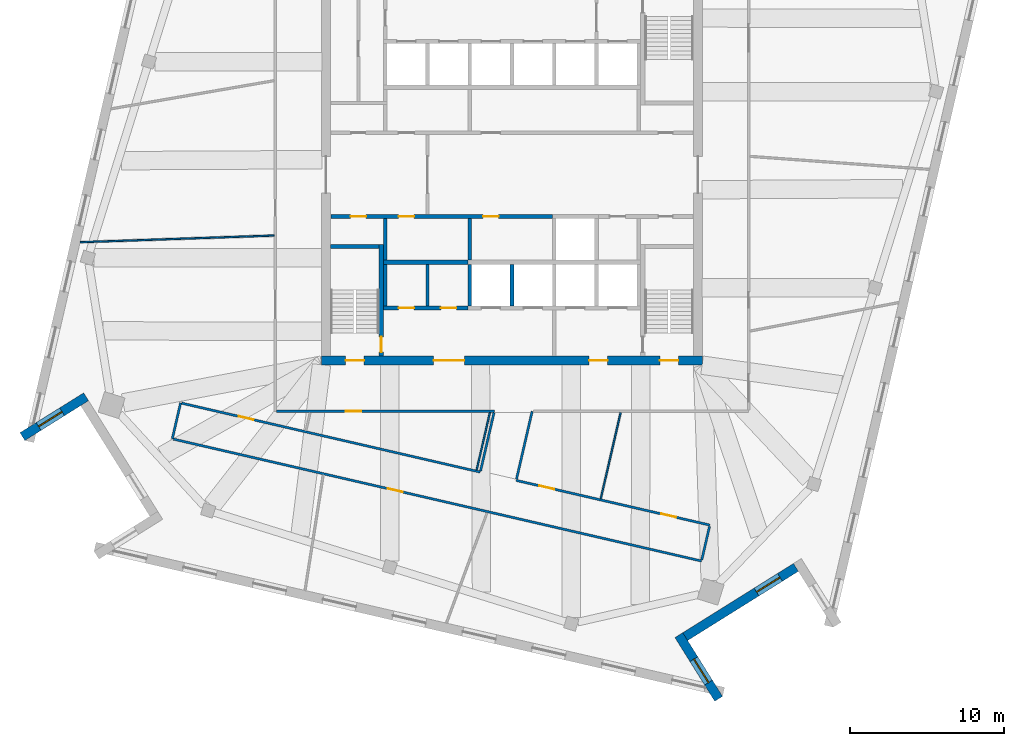
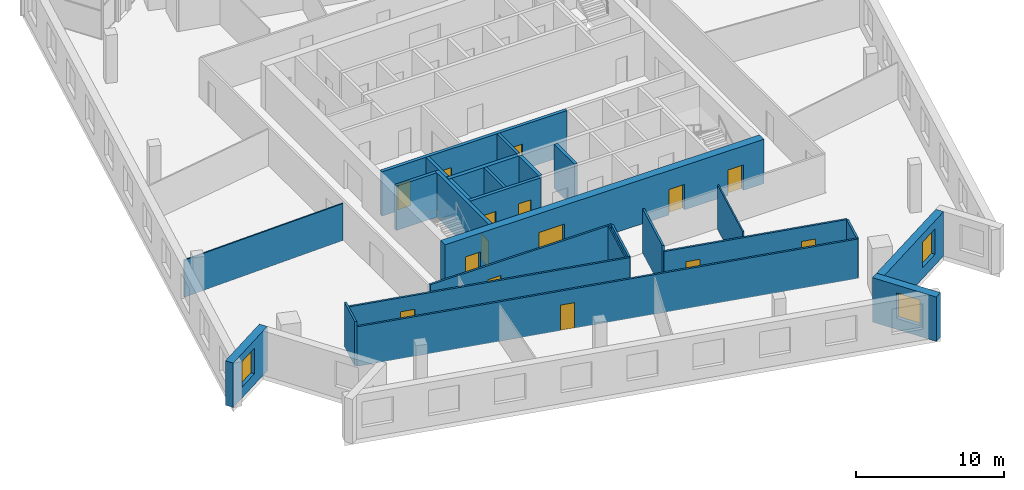
# One storey, part 6 of 14: 26 walls, 15 doors, 3 windows, 18 openings.
"""IFC4 building model written with IfcOpenShell, lengths in metres."""

from ifc_helpers import new_model, si_unit, direction, frame, frame_2d, origin, place, context, subcontext, project, spatial, rectangle, extrude, material, layer, layer_set, type_object, element, fill, save


model = new_model("IFC4")

# Units and contexts
model_context = context("Model", 3, precision=1e-05, world=origin(), true_north=direction((0.0, 1.0)))
body_context = subcontext(model_context, "Body", "Model", "MODEL_VIEW")
ifc_project = project(units=[si_unit("LENGTHUNIT", "METRE"), si_unit("AREAUNIT", "SQUARE_METRE"), si_unit("VOLUMEUNIT", "CUBIC_METRE"), si_unit("PLANEANGLEUNIT", "RADIAN"), si_unit("MASSUNIT", "GRAM", prefix="KILO")], contexts=[model_context])

# Site, building, storey
site_placement = place(None, origin())
site = spatial("IfcSite", under=ifc_project, at=site_placement, CompositionType="ELEMENT")
building_placement = place(site_placement, origin())
building = spatial("IfcBuilding", under=site, at=building_placement, Name="Dilmun Exchange Tower", CompositionType="ELEMENT")
storey_placement = place(building_placement, frame((0.0, 0.0, 340.5)))
storey = spatial("IfcBuildingStorey", under=building, at=storey_placement, Name="L81", CompositionType="ELEMENT", Elevation=340.5)

# Walls
ifc_material_1 = material(Name="Concrete C40/50", Category="concrete")
ifc_layer_1 = layer(ifc_material_1, 0.199951171875)
ifc_layer_set_1 = layer_set([ifc_layer_1], Name="Concrete C40/50")
wall_type_1 = type_object("IfcWallType", Name="Core partition wall 200", PredefinedType="PARTITIONING", material=ifc_layer_set_1)
for number, where, z_axis, x_axis, name in (
    (1, (-5.5, -8.544921875, 0.0), (0.0, 0.0, 1.0), (0.0, 1.0, 0.0), "L81 core partition wall 04"),
    (2, (-2.75, -5.544921875, 0.0), (0.0, 0.0, 1.0), (0.0, 1.0, 0.0), "L81 core partition wall 07"),
):
    element("IfcWall", number, at=place(storey_placement, frame(where, z_axis=z_axis, x_axis=x_axis)), inside=storey, type_object=wall_type_1, Name=name, PredefinedType="PARTITIONING", context=body_context, shape_type="SweptSolid", body=[
        extrude(rectangle(XDim=2.68994140625, YDim=0.199951171875, at=frame_2d((1.344970703125, 0.0))), origin(), (0.0, 0.0, 1.0), 3.64990234375),
    ])

# Wall, openings, doors
ifc_layer_2 = layer(ifc_material_1, 0.25)
ifc_layer_set_2 = layer_set([ifc_layer_2], Name="Concrete C40/50")
wall_type_2 = type_object("IfcWallType", Name="Core partition wall 250", PredefinedType="PARTITIONING", material=ifc_layer_set_2)
wall_1_placement = place(storey_placement, frame((-8.3701171875, -8.675048828125, 0.0), z_axis=(0.0, 0.0, 1.0), x_axis=(1.0, 0.0, 0.0)))
wall_1 = element("IfcWall", 3, at=wall_1_placement, inside=storey, type_object=wall_type_2, Name="L81 core partition wall 02", PredefinedType="PARTITIONING", context=body_context, shape_type="SweptSolid", body=[
    extrude(rectangle(XDim=5.490234375, YDim=0.25, at=frame_2d((2.7451171875, 0.0))), origin(), (0.0, 0.0, 1.0), 3.64990234375),
])
opening_1_placement = place(wall_1_placement, frame((0.9951171875, 0.0, 0.0)))
opening_1 = element("IfcOpeningElement", 4, at=opening_1_placement, cuts=wall_1, Name="Opening CD4", PredefinedType="OPENING", context=body_context, shape_type="SweptSolid", body=[
    extrude(rectangle(XDim=1.0, YDim=2.10009765625, at=frame_2d((0.5, 1.050048828125))), frame((0.0, 0.135009765625, 0.0), z_axis=(0.0, -1.0, 0.0), x_axis=(1.0, 0.0, 0.0)), (0.0, 0.0, 1.0), 0.27001953125),
])
opening_2_placement = place(wall_1_placement, frame((3.7451171875, 0.0, 0.0)))
opening_2 = element("IfcOpeningElement", 5, at=opening_2_placement, cuts=wall_1, Name="Opening CD4", PredefinedType="OPENING", context=body_context, shape_type="SweptSolid", body=[
    extrude(rectangle(XDim=1.0, YDim=2.10009765625, at=frame_2d((0.5, 1.050048828125))), frame((0.0, 0.135009765625, 0.0), z_axis=(0.0, -1.0, 0.0), x_axis=(1.0, 0.0, 0.0)), (0.0, 0.0, 1.0), 0.27001953125),
])
ifc_material_2 = material(Name="Fire-rated steel door set", Category="steel")
door_type_1 = type_object("IfcDoorType", Name="Core room door 1000x2100", OperationType="SINGLE_SWING_LEFT", PredefinedType="DOOR", material=ifc_material_2)
door_1_placement = place(opening_1_placement, origin())
door_1 = element("IfcDoor", 6, at=door_1_placement, inside=storey, type_object=door_type_1, Name="L81 door Male WC", OperationType="SINGLE_SWING_RIGHT", OverallHeight=2.10009765625, OverallWidth=1.0, PredefinedType="DOOR", context=body_context, shape_type="SweptSolid", body=[
    extrude(rectangle(XDim=1.0, YDim=2.10009765625, at=frame_2d((0.5, 1.050048828125))), frame((0.0, 0.02490234375, 0.0), z_axis=(0.0, -1.0, 0.0), x_axis=(1.0, 0.0, 0.0)), (0.0, 0.0, 1.0), 0.050048828125),
])
fill(opening_1, door_1)
door_2_placement = place(opening_2_placement, origin())
door_2 = element("IfcDoor", 7, at=door_2_placement, inside=storey, type_object=door_type_1, Name="L81 door Female WC", OperationType="SINGLE_SWING_RIGHT", OverallHeight=2.10009765625, OverallWidth=1.0, PredefinedType="DOOR", context=body_context, shape_type="SweptSolid", body=[
    extrude(rectangle(XDim=1.0, YDim=2.10009765625, at=frame_2d((0.5, 1.050048828125))), frame((0.0, 0.02490234375, 0.0), z_axis=(0.0, -1.0, 0.0), x_axis=(1.0, 0.0, 0.0)), (0.0, 0.0, 1.0), 0.050048828125),
])
fill(opening_2, door_2)

# Walls
for number, where, z_axis, x_axis, name in (
    (8, (-8.25, -8.544921875, 0.0), (0.0, 0.0, 1.0), (0.0, 1.0, 0.0), "L81 core partition wall 03"),
    (9, (-8.25, -5.544921875, 0.0), (0.0, 0.0, 1.0), (0.0, 1.0, 0.0), "L81 core partition wall 06"),
):
    element("IfcWall", number, at=place(storey_placement, frame(where, z_axis=z_axis, x_axis=x_axis)), inside=storey, type_object=wall_type_2, Name=name, PredefinedType="PARTITIONING", context=body_context, shape_type="SweptSolid", body=[
        extrude(rectangle(XDim=2.68994140625, YDim=0.25, at=frame_2d((1.344970703125, 0.0))), origin(), (0.0, 0.0, 1.0), 3.64990234375),
    ])

# Wall, openings, doors
wall_2_placement = place(storey_placement, frame((-11.794921875, -2.72509765625, 0.0), z_axis=(0.0, 0.0, 1.0), x_axis=(1.0, 0.0, 0.0)))
wall_2 = element("IfcWall", 10, at=wall_2_placement, inside=storey, type_object=wall_type_2, Name="L81 core partition wall 09", PredefinedType="PARTITIONING", context=body_context, shape_type="SweptSolid", body=[
    extrude(rectangle(XDim=14.4150390625, YDim=0.25, at=frame_2d((7.20751953125, 0.0))), origin(), (0.0, 0.0, 1.0), 3.64990234375),
])
opening_3_placement = place(wall_2_placement, frame((1.294921875, 0.0, 0.0)))
opening_3 = element("IfcOpeningElement", 11, at=opening_3_placement, cuts=wall_2, Name="Opening CD4", PredefinedType="OPENING", context=body_context, shape_type="SweptSolid", body=[
    extrude(rectangle(XDim=1.0, YDim=2.10009765625, at=frame_2d((0.5, 1.050048828125))), frame((0.0, 0.135009765625, 0.0), z_axis=(0.0, -1.0, 0.0), x_axis=(1.0, 0.0, 0.0)), (0.0, 0.0, 1.0), 0.27001953125),
])
opening_4_placement = place(wall_2_placement, frame((4.419921875, 0.0, 0.0)))
opening_4 = element("IfcOpeningElement", 12, at=opening_4_placement, cuts=wall_2, Name="Opening CD4", PredefinedType="OPENING", context=body_context, shape_type="SweptSolid", body=[
    extrude(rectangle(XDim=1.0, YDim=2.10009765625, at=frame_2d((0.5, 1.050048828125))), frame((0.0, 0.135009765625, 0.0), z_axis=(0.0, -1.0, 0.0), x_axis=(1.0, 0.0, 0.0)), (0.0, 0.0, 1.0), 0.27001953125),
])
opening_5_placement = place(wall_2_placement, frame((9.919921875, 0.0, 0.0)))
opening_5 = element("IfcOpeningElement", 13, at=opening_5_placement, cuts=wall_2, Name="Opening CD4", PredefinedType="OPENING", context=body_context, shape_type="SweptSolid", body=[
    extrude(rectangle(XDim=1.0, YDim=2.10009765625, at=frame_2d((0.5, 1.050048828125))), frame((0.0, 0.135009765625, 0.0), z_axis=(0.0, -1.0, 0.0), x_axis=(1.0, 0.0, 0.0)), (0.0, 0.0, 1.0), 0.27001953125),
])
door_3_placement = place(opening_3_placement, origin())
door_3 = element("IfcDoor", 14, at=door_3_placement, inside=storey, type_object=door_type_1, Name="L81 door Accessible WC", OperationType="SINGLE_SWING_RIGHT", OverallHeight=2.10009765625, OverallWidth=1.0, PredefinedType="DOOR", context=body_context, shape_type="SweptSolid", body=[
    extrude(rectangle(XDim=1.0, YDim=2.10009765625, at=frame_2d((0.5, 1.050048828125))), frame((0.0, 0.02490234375, 0.0), z_axis=(0.0, -1.0, 0.0), x_axis=(1.0, 0.0, 0.0)), (0.0, 0.0, 1.0), 0.050048828125),
])
fill(opening_3, door_3)
door_4_placement = place(opening_4_placement, origin())
door_4 = element("IfcDoor", 15, at=door_4_placement, inside=storey, type_object=door_type_1, Name="L81 door Print and mail room", OperationType="SINGLE_SWING_RIGHT", OverallHeight=2.10009765625, OverallWidth=1.0, PredefinedType="DOOR", context=body_context, shape_type="SweptSolid", body=[
    extrude(rectangle(XDim=1.0, YDim=2.10009765625, at=frame_2d((0.5, 1.050048828125))), frame((0.0, 0.02490234375, 0.0), z_axis=(0.0, -1.0, 0.0), x_axis=(1.0, 0.0, 0.0)), (0.0, 0.0, 1.0), 0.050048828125),
])
fill(opening_4, door_4)
door_5_placement = place(opening_5_placement, origin())
door_5 = element("IfcDoor", 16, at=door_5_placement, inside=storey, type_object=door_type_1, Name="L81 door Mechanical room", OperationType="SINGLE_SWING_RIGHT", OverallHeight=2.10009765625, OverallWidth=1.0, PredefinedType="DOOR", context=body_context, shape_type="SweptSolid", body=[
    extrude(rectangle(XDim=1.0, YDim=2.10009765625, at=frame_2d((0.5, 1.050048828125))), frame((0.0, 0.02490234375, 0.0), z_axis=(0.0, -1.0, 0.0), x_axis=(1.0, 0.0, 0.0)), (0.0, 0.0, 1.0), 0.050048828125),
])
fill(opening_5, door_5)

# Wall
ifc_layer_3 = layer(ifc_material_1, 0.300048828125)
ifc_layer_set_3 = layer_set([ifc_layer_3], Name="Concrete C40/50")
wall_type_3 = type_object("IfcWallType", Name="Core partition wall 300", PredefinedType="PARTITIONING", material=ifc_layer_set_3)
wall_3_placement = place(storey_placement, frame((-8.35009765625, -5.699951171875, 0.0), z_axis=(0.0, 0.0, 1.0), x_axis=(1.0, 0.0, 0.0)))
element("IfcWall", 17, at=wall_3_placement, inside=storey, type_object=wall_type_3, Name="L81 core partition wall 05", PredefinedType="PARTITIONING", context=body_context, shape_type="SweptSolid", body=[
    extrude(rectangle(XDim=5.47021484375, YDim=0.300048828125, at=frame_2d((2.735107421875, 0.0))), origin(), (0.0, 0.0, 1.0), 3.64990234375),
])

# Wall, openings, doors
ifc_material_3 = material(Name="Concrete C50/60", Category="concrete")
ifc_layer_4 = layer(ifc_material_3, 0.60009765625)
ifc_layer_set_4 = layer_set([ifc_layer_4], Name="Concrete C50/60")
wall_type_4 = type_object("IfcWallType", Name="Core shear wall 600 Concrete C50/60", PredefinedType="SHEAR", material=ifc_layer_set_4)
wall_4_placement = place(storey_placement, frame((-12.39990234375, -12.10009765625, 0.0), z_axis=(0.0, 0.0, 1.0), x_axis=(1.0, 0.0, 0.0)))
wall_4 = element("IfcWall", 18, at=wall_4_placement, inside=storey, type_object=wall_type_4, Name="L81 core shear wall S", PredefinedType="SHEAR", context=body_context, shape_type="SweptSolid", body=[
    extrude(rectangle(XDim=24.7998046875, YDim=0.60009765625, at=frame_2d((12.39990234375, 0.0))), origin(), (0.0, 0.0, 1.0), 3.64990234375),
])
opening_6_placement = place(wall_4_placement, frame((7.300048828125, 0.0, 0.0)))
opening_6 = element("IfcOpeningElement", 19, at=opening_6_placement, cuts=wall_4, Name="Opening CD2", PredefinedType="OPENING", context=body_context, shape_type="SweptSolid", body=[
    extrude(rectangle(XDim=2.0, YDim=2.10009765625, at=frame_2d((1.0, 1.050048828125))), frame((0.0, 0.31005859375, 0.0), z_axis=(0.0, -1.0, 0.0), x_axis=(1.0, 0.0, 0.0)), (0.0, 0.0, 1.0), 0.6201171875),
])
opening_7_placement = place(wall_4_placement, frame((17.425048828125, 0.0, 0.0)))
opening_7 = element("IfcOpeningElement", 20, at=opening_7_placement, cuts=wall_4, Name="Opening CD3", PredefinedType="OPENING", context=body_context, shape_type="SweptSolid", body=[
    extrude(rectangle(XDim=1.199951171875, YDim=2.10009765625, at=frame_2d((0.60009765625, 1.050048828125))), frame((0.0, 0.31005859375, 0.0), z_axis=(0.0, -1.0, 0.0), x_axis=(1.0, 0.0, 0.0)), (0.0, 0.0, 1.0), 0.6201171875),
])
opening_8_placement = place(wall_4_placement, frame((1.574951171875, 0.0, 0.0)))
opening_8 = element("IfcOpeningElement", 21, at=opening_8_placement, cuts=wall_4, Name="Opening CD3", PredefinedType="OPENING", context=body_context, shape_type="SweptSolid", body=[
    extrude(rectangle(XDim=1.199951171875, YDim=2.10009765625, at=frame_2d((0.60009765625, 1.050048828125))), frame((0.0, 0.31005859375, 0.0), z_axis=(0.0, -1.0, 0.0), x_axis=(1.0, 0.0, 0.0)), (0.0, 0.0, 1.0), 0.6201171875),
])
opening_9_placement = place(wall_4_placement, frame((22.02490234375, 0.0, 0.0)))
opening_9 = element("IfcOpeningElement", 22, at=opening_9_placement, cuts=wall_4, Name="Opening CD3", PredefinedType="OPENING", context=body_context, shape_type="SweptSolid", body=[
    extrude(rectangle(XDim=1.199951171875, YDim=2.10009765625, at=frame_2d((0.60009765625, 1.050048828125))), frame((0.0, 0.31005859375, 0.0), z_axis=(0.0, -1.0, 0.0), x_axis=(1.0, 0.0, 0.0)), (0.0, 0.0, 1.0), 0.6201171875),
])
door_type_2 = type_object("IfcDoorType", Name="Core service door 2000x2100", OperationType="DOUBLE_DOOR_DOUBLE_SWING", PredefinedType="DOOR", material=ifc_material_2)
door_6_placement = place(opening_6_placement, origin())
door_6 = element("IfcDoor", 23, at=door_6_placement, inside=storey, type_object=door_type_2, Name="L81 door South service lobby", OperationType="SINGLE_SWING_LEFT", OverallHeight=2.10009765625, OverallWidth=2.0, PredefinedType="DOOR", context=body_context, shape_type="SweptSolid", body=[
    extrude(rectangle(XDim=2.0, YDim=2.10009765625, at=frame_2d((1.0, 1.050048828125))), frame((0.0, 0.02490234375, 0.0), z_axis=(0.0, -1.0, 0.0), x_axis=(1.0, 0.0, 0.0)), (0.0, 0.0, 1.0), 0.050048828125),
])
fill(opening_6, door_6)
door_type_3 = type_object("IfcDoorType", Name="Stair exit door 1200x2100", OperationType="SINGLE_SWING_LEFT", PredefinedType="DOOR", material=ifc_material_2)
door_7_placement = place(opening_7_placement, origin())
door_7 = element("IfcDoor", 24, at=door_7_placement, inside=storey, type_object=door_type_3, Name="L81 door Fire-fighting lobby", OperationType="SINGLE_SWING_LEFT", OverallHeight=2.10009765625, OverallWidth=1.199951171875, PredefinedType="DOOR", context=body_context, shape_type="SweptSolid", body=[
    extrude(rectangle(XDim=1.199951171875, YDim=2.10009765625, at=frame_2d((0.60009765625, 1.050048828125))), frame((0.0, 0.02490234375, 0.0), z_axis=(0.0, -1.0, 0.0), x_axis=(1.0, 0.0, 0.0)), (0.0, 0.0, 1.0), 0.050048828125),
])
fill(opening_7, door_7)
door_8_placement = place(opening_8_placement, origin())
door_8 = element("IfcDoor", 25, at=door_8_placement, inside=storey, type_object=door_type_3, Name="L81 door Stair ST2", OperationType="SINGLE_SWING_LEFT", OverallHeight=2.10009765625, OverallWidth=1.199951171875, PredefinedType="DOOR", context=body_context, shape_type="SweptSolid", body=[
    extrude(rectangle(XDim=1.199951171875, YDim=2.10009765625, at=frame_2d((0.60009765625, 1.050048828125))), frame((0.0, 0.02490234375, 0.0), z_axis=(0.0, -1.0, 0.0), x_axis=(1.0, 0.0, 0.0)), (0.0, 0.0, 1.0), 0.050048828125),
])
fill(opening_8, door_8)
door_9_placement = place(opening_9_placement, origin())
door_9 = element("IfcDoor", 26, at=door_9_placement, inside=storey, type_object=door_type_3, Name="L81 door Stair ST3", OperationType="SINGLE_SWING_LEFT", OverallHeight=2.10009765625, OverallWidth=1.199951171875, PredefinedType="DOOR", context=body_context, shape_type="SweptSolid", body=[
    extrude(rectangle(XDim=1.199951171875, YDim=2.10009765625, at=frame_2d((0.60009765625, 1.050048828125))), frame((0.0, 0.02490234375, 0.0), z_axis=(0.0, -1.0, 0.0), x_axis=(1.0, 0.0, 0.0)), (0.0, 0.0, 1.0), 0.050048828125),
])
fill(opening_9, door_9)

# Wall
ifc_material_4 = material(Name="Corridor wall 150")
ifc_layer_5 = layer(ifc_material_4, 0.14990234375)
ifc_layer_set_5 = layer_set([ifc_layer_5], Name="Corridor wall 150")
wall_type_5 = type_object("IfcWallType", Name="Corridor wall 150", PredefinedType="PARTITIONING", material=ifc_layer_set_5)
wall_5_placement = place(storey_placement, frame((-22.110107421875, -17.193115234375, 0.0), z_axis=(0.0, 0.0, 1.0), x_axis=(0.225045260861, 0.9743483107, 0.0)))
element("IfcWall", 27, at=wall_5_placement, inside=storey, type_object=wall_type_5, Name="Corridor wall", PredefinedType="PARTITIONING", context=body_context, shape_type="SweptSolid", body=[
    extrude(rectangle(XDim=2.399658203125, YDim=0.14990234375, at=frame_2d((1.19970703125, 0.0))), origin(), (0.0, 0.0, 1.0), 3.64990234375),
])

# Wall, opening, door
wall_6_placement = place(storey_placement, frame((-22.036865234375, -17.2099609375, 0.0), z_axis=(0.0, 0.0, 1.0), x_axis=(0.974365877869, -0.224969189101, 0.0)))
wall_6 = element("IfcWall", 28, at=wall_6_placement, inside=storey, type_object=wall_type_5, Name="Corridor wall", PredefinedType="PARTITIONING", context=body_context, shape_type="SweptSolid", body=[
    extrude(rectangle(XDim=35.276123046875, YDim=0.14990234375, at=frame_2d((17.63818359375, 0.0))), origin(), (0.0, 0.0, 1.0), 3.25),
])
opening_10_placement = place(wall_6_placement, frame((14.316650390625, 0.0, 0.0)))
opening_10 = element("IfcOpeningElement", 29, at=opening_10_placement, cuts=wall_6, Name="Opening TF79-D06", PredefinedType="OPENING", context=body_context, shape_type="SweptSolid", body=[
    extrude(rectangle(XDim=1.0, YDim=2.10009765625, at=frame_2d((0.5, 1.050048828125))), frame((0.0, 0.0849609375, 0.0), z_axis=(0.0, -1.0, 0.0), x_axis=(1.0, 0.0, 0.0)), (0.0, 0.0, 1.0), 0.169921875),
])
ifc_material_5 = material(Name="Fire door 1000 x 2100")
door_type_4 = type_object("IfcDoorType", Name="Fire door 1000 x 2100", OperationType="NOTDEFINED", PredefinedType="DOOR", material=ifc_material_5)
door_10_placement = place(opening_10_placement, frame((1.0, 0.0, 0.0), z_axis=(0.0, 0.0, 1.0), x_axis=(-1.0, 0.0, 0.0)))
door_10 = element("IfcDoor", 30, at=door_10_placement, inside=storey, type_object=door_type_4, Name="Door TF79-D06", OperationType="SINGLE_SWING_LEFT", OverallHeight=2.10009765625, OverallWidth=1.0, PredefinedType="DOOR", context=body_context, shape_type="SweptSolid", body=[
    extrude(rectangle(XDim=1.0, YDim=2.10009765625, at=frame_2d((0.5, 1.050048828125))), frame((0.0, 0.02490234375, 0.0), z_axis=(0.0, -1.0, 0.0), x_axis=(1.0, 0.0, 0.0)), (0.0, 0.0, 1.0), 0.050048828125),
])
fill(opening_10, door_10)

wall_7_placement = place(storey_placement, frame((-21.496826171875, -14.871826171875, 0.0), z_axis=(0.0, 0.0, 1.0), x_axis=(0.974371384758, -0.224945336838, 0.0)))
wall_7 = element("IfcWall", 31, at=wall_7_placement, inside=storey, type_object=wall_type_5, Name="Corridor wall", PredefinedType="PARTITIONING", context=body_context, shape_type="SweptSolid", body=[
    extrude(rectangle(XDim=19.943115234375, YDim=0.14990234375, at=frame_2d((9.9716796875, 0.0))), origin(), (0.0, 0.0, 1.0), 3.25),
])
opening_11_placement = place(wall_7_placement, frame((3.800048828125, 0.0, 0.0)))
opening_11 = element("IfcOpeningElement", 32, at=opening_11_placement, cuts=wall_7, Name="Opening TF79-D03", PredefinedType="OPENING", context=body_context, shape_type="SweptSolid", body=[
    extrude(rectangle(XDim=1.0, YDim=2.10009765625, at=frame_2d((0.5, 1.050048828125))), frame((0.0, 0.0849609375, 0.0), z_axis=(0.0, -1.0, 0.0), x_axis=(1.0, 0.0, 0.0)), (0.0, 0.0, 1.0), 0.169921875),
])
door_11_placement = place(opening_11_placement, origin())
door_11 = element("IfcDoor", 33, at=door_11_placement, inside=storey, type_object=door_type_4, Name="Door TF79-D03", OperationType="SINGLE_SWING_LEFT", OverallHeight=2.10009765625, OverallWidth=1.0, PredefinedType="DOOR", context=body_context, shape_type="SweptSolid", body=[
    extrude(rectangle(XDim=1.0, YDim=2.10009765625, at=frame_2d((0.5, 1.050048828125))), frame((0.0, 0.02490234375, 0.0), z_axis=(0.0, -1.0, 0.0), x_axis=(1.0, 0.0, 0.0)), (0.0, 0.0, 1.0), 0.050048828125),
])
fill(opening_11, door_11)

wall_8_placement = place(storey_placement, frame((-15.324951171875, -15.39990234375, 0.0), z_axis=(0.0, 0.0, 1.0), x_axis=(1.0, 0.0, 0.0)))
wall_8 = element("IfcWall", 34, at=wall_8_placement, inside=storey, type_object=wall_type_5, Name="Corridor wall", PredefinedType="PARTITIONING", context=body_context, shape_type="SweptSolid", body=[
    extrude(rectangle(XDim=14.174072265625, YDim=0.14990234375, at=frame_2d((7.0869140625, 0.0))), origin(), (0.0, 0.0, 1.0), 3.25),
])
opening_12_placement = place(wall_8_placement, frame((4.498779296875, 0.0, 0.0)))
opening_12 = element("IfcOpeningElement", 35, at=opening_12_placement, cuts=wall_8, Name="Opening TF79-D08", PredefinedType="OPENING", context=body_context, shape_type="SweptSolid", body=[
    extrude(rectangle(XDim=1.0, YDim=2.10009765625, at=frame_2d((0.5, 1.050048828125))), frame((0.0, 0.0849609375, 0.0), z_axis=(0.0, -1.0, 0.0), x_axis=(1.0, 0.0, 0.0)), (0.0, 0.0, 1.0), 0.169921875),
])
door_12_placement = place(opening_12_placement, frame((1.0, 0.0, 0.0), z_axis=(0.0, 0.0, 1.0), x_axis=(-1.0, 0.0, 0.0)))
door_12 = element("IfcDoor", 36, at=door_12_placement, inside=storey, type_object=door_type_4, Name="Door TF79-D08", OperationType="SINGLE_SWING_RIGHT", OverallHeight=2.10009765625, OverallWidth=1.0, PredefinedType="DOOR", context=body_context, shape_type="SweptSolid", body=[
    extrude(rectangle(XDim=1.0, YDim=2.10009765625, at=frame_2d((0.5, 1.050048828125))), frame((0.0, 0.02490234375, 0.0), z_axis=(0.0, -1.0, 0.0), x_axis=(1.0, 0.0, 0.0)), (0.0, 0.0, 1.0), 0.050048828125),
])
fill(opening_12, door_12)

# Wall
wall_9_placement = place(storey_placement, frame((-2.048095703125, -19.284912109375, 0.0), z_axis=(0.0, 0.0, 1.0), x_axis=(0.225024396784, 0.974353129441, 0.0)))
element("IfcWall", 37, at=wall_9_placement, inside=storey, type_object=wall_type_5, Name="Corridor wall", PredefinedType="PARTITIONING", context=body_context, shape_type="SweptSolid", body=[
    extrude(rectangle(XDim=3.892822265625, YDim=0.14990234375, at=frame_2d((1.9462890625, 0.0))), origin(), (0.0, 0.0, 1.0), 3.25),
])

# Wall, openings, doors
wall_10_placement = place(storey_placement, frame((0.27392578125, -19.89794921875, 0.0), z_axis=(0.0, 0.0, 1.0), x_axis=(0.974374329931, -0.224932579167, 0.0)))
wall_10 = element("IfcWall", 38, at=wall_10_placement, inside=storey, type_object=wall_type_5, Name="Corridor wall", PredefinedType="PARTITIONING", context=body_context, shape_type="SweptSolid", body=[
    extrude(rectangle(XDim=12.932373046875, YDim=0.14990234375, at=frame_2d((6.46630859375, 0.0))), origin(), (0.0, 0.0, 1.0), 3.25),
])
opening_13_placement = place(wall_10_placement, frame((1.550048828125, 0.0, 0.0)))
opening_13 = element("IfcOpeningElement", 39, at=opening_13_placement, cuts=wall_10, Name="Opening TF79-D11", PredefinedType="OPENING", context=body_context, shape_type="SweptSolid", body=[
    extrude(rectangle(XDim=1.0, YDim=2.10009765625, at=frame_2d((0.5, 1.050048828125))), frame((0.0, 0.0849609375, 0.0), z_axis=(0.0, -1.0, 0.0), x_axis=(1.0, 0.0, 0.0)), (0.0, 0.0, 1.0), 0.169921875),
])
opening_14_placement = place(wall_10_placement, frame((9.679443359375, 0.0, 0.0)))
opening_14 = element("IfcOpeningElement", 40, at=opening_14_placement, cuts=wall_10, Name="Opening TF79-D16", PredefinedType="OPENING", context=body_context, shape_type="SweptSolid", body=[
    extrude(rectangle(XDim=1.0, YDim=2.10009765625, at=frame_2d((0.5, 1.050048828125))), frame((0.0, 0.0849609375, 0.0), z_axis=(0.0, -1.0, 0.0), x_axis=(1.0, 0.0, 0.0)), (0.0, 0.0, 1.0), 0.169921875),
])
door_13_placement = place(opening_13_placement, origin())
door_13 = element("IfcDoor", 41, at=door_13_placement, inside=storey, type_object=door_type_4, Name="Door TF79-D11", OperationType="SINGLE_SWING_RIGHT", OverallHeight=2.10009765625, OverallWidth=1.0, PredefinedType="DOOR", context=body_context, shape_type="SweptSolid", body=[
    extrude(rectangle(XDim=1.0, YDim=2.10009765625, at=frame_2d((0.5, 1.050048828125))), frame((0.0, 0.02490234375, 0.0), z_axis=(0.0, -1.0, 0.0), x_axis=(1.0, 0.0, 0.0)), (0.0, 0.0, 1.0), 0.050048828125),
])
fill(opening_13, door_13)
door_14_placement = place(opening_14_placement, origin())
door_14 = element("IfcDoor", 42, at=door_14_placement, inside=storey, type_object=door_type_4, Name="Door TF79-D16", OperationType="SINGLE_SWING_LEFT", OverallHeight=2.10009765625, OverallWidth=1.0, PredefinedType="DOOR", context=body_context, shape_type="SweptSolid", body=[
    extrude(rectangle(XDim=1.0, YDim=2.10009765625, at=frame_2d((0.5, 1.050048828125))), frame((0.0, 0.02490234375, 0.0), z_axis=(0.0, -1.0, 0.0), x_axis=(1.0, 0.0, 0.0)), (0.0, 0.0, 1.0), 0.050048828125),
])
fill(opening_14, door_14)

# Walls
wall_11_placement = place(storey_placement, frame((0.291015625, -19.824951171875, 0.0), z_axis=(0.0, 0.0, 1.0), x_axis=(0.224824169945, 0.974399349655, 0.0)))
element("IfcWall", 43, at=wall_11_placement, inside=storey, type_object=wall_type_5, Name="Corridor wall", PredefinedType="PARTITIONING", context=body_context, shape_type="SweptSolid", body=[
    extrude(rectangle(XDim=4.541259765625, YDim=0.14990234375, at=frame_2d((2.2705078125, 0.0))), origin(), (0.0, 0.0, 1.0), 3.64990234375),
])
wall_12_placement = place(storey_placement, frame((12.351806640625, -25.072998046875, 0.0), z_axis=(0.0, 0.0, 1.0), x_axis=(0.224986267236, 0.974361934578, 0.0)))
element("IfcWall", 44, at=wall_12_placement, inside=storey, type_object=wall_type_5, Name="Corridor wall", PredefinedType="PARTITIONING", context=body_context, shape_type="SweptSolid", body=[
    extrude(rectangle(XDim=2.25048828125, YDim=0.14990234375, at=frame_2d((1.125244140625, 0.0))), origin(), (0.0, 0.0, 1.0), 3.25),
])
ifc_layer_6 = layer(ifc_material_1, 0.25)
ifc_layer_set_6 = layer_set([ifc_layer_6], Name="Concrete C40/50")
wall_type_6 = type_object("IfcWallType", Name="Lift shaft wall 250", PredefinedType="SOLIDWALL", material=ifc_layer_set_6)
for number, where, z_axis, x_axis, name in (
    (45, (-2.75, -8.550048828125, 0.0), (0.0, 0.0, 1.0), (0.0, 1.0, 0.0), "L81 lift shaft divider S22"),
    (46, (0.0, -8.550048828125, 0.0), (0.0, 0.0, 1.0), (0.0, 1.0, 0.0), "L81 lift shaft divider S23"),
):
    element("IfcWall", number, at=place(storey_placement, frame(where, z_axis=z_axis, x_axis=x_axis)), inside=storey, type_object=wall_type_6, Name=name, PredefinedType="SOLIDWALL", context=body_context, shape_type="SweptSolid", body=[
        extrude(rectangle(XDim=2.699951171875, YDim=0.25, at=frame_2d((1.35009765625, 0.0))), origin(), (0.0, 0.0, 1.0), 3.64990234375),
    ])
ifc_material_6 = material(Name="Partition 100")
ifc_layer_7 = layer(ifc_material_6, 0.10009765625)
ifc_layer_set_7 = layer_set([ifc_layer_7], Name="Partition 100")
wall_type_7 = type_object("IfcWallType", Name="Partition 100", PredefinedType="PARTITIONING", material=ifc_layer_set_7)
wall_13_placement = place(storey_placement, frame((-28.10693359375, -4.39453125, 0.0), z_axis=(0.0, 0.0, 1.0), x_axis=(0.999410579242, 0.03432920185, 0.0)))
element("IfcWall", 47, at=wall_13_placement, inside=storey, type_object=wall_type_7, Name="Partition", PredefinedType="PARTITIONING", context=body_context, shape_type="SweptSolid", body=[
    extrude(rectangle(XDim=12.6376953125, YDim=0.10009765625, at=frame_2d((6.31884765625, 0.0))), origin(), (0.0, 0.0, 1.0), 3.050048828125),
])
wall_14_placement = place(storey_placement, frame((-2.302978515625, -19.225830078125, 0.0), z_axis=(0.0, 0.0, 1.0), x_axis=(0.224864152428, 0.974390123592, 0.0)))
element("IfcWall", 48, at=wall_14_placement, inside=storey, type_object=wall_type_7, Name="Partition", PredefinedType="PARTITIONING", context=body_context, shape_type="SweptSolid", body=[
    extrude(rectangle(XDim=3.838134765625, YDim=0.10009765625, at=frame_2d((1.9189453125, 0.0))), origin(), (0.0, 0.0, 1.0), 3.25),
])
wall_15_placement = place(storey_placement, frame((5.77587890625, -21.0908203125, 0.0), z_axis=(0.0, 0.0, 1.0), x_axis=(0.224989694642, 0.974361143162, 0.0)))
element("IfcWall", 49, at=wall_15_placement, inside=storey, type_object=wall_type_7, Name="Partition", PredefinedType="PARTITIONING", context=body_context, shape_type="SweptSolid", body=[
    extrude(rectangle(XDim=5.752197265625, YDim=0.10009765625, at=frame_2d((2.8759765625, 0.0))), origin(), (0.0, 0.0, 1.0), 3.64990234375),
])

# Wall, opening, window
ifc_material_7 = material(Name="Precast concrete C50/60", Category="concrete")
ifc_layer_8 = layer(ifc_material_7, 0.60009765625)
ifc_layer_set_8 = layer_set([ifc_layer_8], Name="Precast concrete C50/60")
wall_type_8 = type_object("IfcWallType", Name="Precast stone-clad wall 600", PredefinedType="STANDARD", material=ifc_layer_set_8)
wall_16_placement = place(storey_placement, frame((-31.863525390625, -17.046630859375, 0.0), z_axis=(0.0, 0.0, 1.0), x_axis=(0.848062867364, 0.529895624626, 0.0)))
wall_16 = element("IfcWall", 50, at=wall_16_placement, inside=storey, type_object=wall_type_8, Name="Facade wall L81-04", PredefinedType="STANDARD", context=body_context, shape_type="SweptSolid", body=[
    extrude(rectangle(XDim=4.885498046875, YDim=0.60009765625, at=frame_2d((2.44287109375, 0.0))), origin(), (0.0, 0.0, 1.0), 3.64990234375),
])
opening_15_placement = place(wall_16_placement, frame((1.242919921875, 0.0, 0.89990234375)))
opening_15 = element("IfcOpeningElement", 51, at=opening_15_placement, cuts=wall_16, Name="Opening W180-210", PredefinedType="OPENING", context=body_context, shape_type="SweptSolid", body=[
    extrude(rectangle(XDim=1.800048828125, YDim=2.10009765625, at=frame_2d((0.89990234375, 1.050048828125))), frame((0.0, 0.31005859375, 0.0), z_axis=(0.0, -1.0, 0.0), x_axis=(1.0, 0.0, 0.0)), (0.0, 0.0, 1.0), 0.6201171875),
])
ifc_material_8 = material(Name="Clear low-emissivity glass in aluminium frame", Category="aluminium")
window_type = type_object("IfcWindowType", Name="Punched window 1800 x 2100", PartitioningType="DOUBLE_PANEL_VERTICAL", PredefinedType="WINDOW", material=ifc_material_8)
window_1_placement = place(opening_15_placement, origin())
window_1 = element("IfcWindow", 52, at=window_1_placement, inside=storey, type_object=window_type, Name="Window 5.1", OverallHeight=2.10009765625, OverallWidth=1.800048828125, PartitioningType="SINGLE_PANEL", PredefinedType="WINDOW", context=body_context, shape_type="SweptSolid", body=[
    extrude(rectangle(XDim=1.800048828125, YDim=2.10009765625, at=frame_2d((0.89990234375, 1.050048828125))), frame((0.0, 0.030029296875, 0.0), z_axis=(0.0, -1.0, 0.0), x_axis=(1.0, 0.0, 0.0)), (0.0, 0.0, 1.0), 0.06005859375),
])
fill(opening_15, window_1)

wall_17_placement = place(storey_placement, frame((13.44873046875, -34.11181640625, 0.0), z_axis=(0.0, 0.0, 1.0), x_axis=(-0.529931563086, 0.848040410856, 0.0)))
wall_17 = element("IfcWall", 53, at=wall_17_placement, inside=storey, type_object=wall_type_8, Name="Facade wall L81-08", PredefinedType="STANDARD", context=body_context, shape_type="SweptSolid", body=[
    extrude(rectangle(XDim=4.8857421875, YDim=0.60009765625, at=frame_2d((2.44287109375, 0.0))), origin(), (0.0, 0.0, 1.0), 3.64990234375),
])
opening_16_placement = place(wall_17_placement, frame((1.242919921875, 0.0, 0.89990234375)))
opening_16 = element("IfcOpeningElement", 54, at=opening_16_placement, cuts=wall_17, Name="Opening W180-210", PredefinedType="OPENING", context=body_context, shape_type="SweptSolid", body=[
    extrude(rectangle(XDim=1.800048828125, YDim=2.10009765625, at=frame_2d((0.89990234375, 1.050048828125))), frame((0.0, 0.31005859375, 0.0), z_axis=(0.0, -1.0, 0.0), x_axis=(1.0, 0.0, 0.0)), (0.0, 0.0, 1.0), 0.6201171875),
])
window_2_placement = place(opening_16_placement, origin())
window_2 = element("IfcWindow", 55, at=window_2_placement, inside=storey, type_object=window_type, Name="Window 9.1", OverallHeight=2.10009765625, OverallWidth=1.800048828125, PartitioningType="SINGLE_PANEL", PredefinedType="WINDOW", context=body_context, shape_type="SweptSolid", body=[
    extrude(rectangle(XDim=1.800048828125, YDim=2.10009765625, at=frame_2d((0.89990234375, 1.050048828125))), frame((0.0, 0.030029296875, 0.0), z_axis=(0.0, -1.0, 0.0), x_axis=(1.0, 0.0, 0.0)), (0.0, 0.0, 1.0), 0.06005859375),
])
fill(opening_16, window_2)

wall_18_placement = place(storey_placement, frame((11.273193359375, -30.06396484375, 0.0), z_axis=(0.0, 0.0, 1.0), x_axis=(0.848051550543, 0.529913736019, 0.0)))
wall_18 = element("IfcWall", 56, at=wall_18_placement, inside=storey, type_object=wall_type_8, Name="Facade wall L81-09", PredefinedType="STANDARD", context=body_context, shape_type="SweptSolid", body=[
    extrude(rectangle(XDim=8.499755859375, YDim=0.60009765625, at=frame_2d((4.25, 0.0))), origin(), (0.0, 0.0, 1.0), 3.64990234375),
])
opening_17_placement = place(wall_18_placement, frame((5.47509765625, 0.0, 0.89990234375)))
opening_17 = element("IfcOpeningElement", 57, at=opening_17_placement, cuts=wall_18, Name="Opening W180-210", PredefinedType="OPENING", context=body_context, shape_type="SweptSolid", body=[
    extrude(rectangle(XDim=1.800048828125, YDim=2.10009765625, at=frame_2d((0.89990234375, 1.050048828125))), frame((0.0, 0.31005859375, 0.0), z_axis=(0.0, -1.0, 0.0), x_axis=(1.0, 0.0, 0.0)), (0.0, 0.0, 1.0), 0.6201171875),
])
window_3_placement = place(opening_17_placement, origin())
window_3 = element("IfcWindow", 58, at=window_3_placement, inside=storey, type_object=window_type, Name="Window 10.2", OverallHeight=2.10009765625, OverallWidth=1.800048828125, PartitioningType="SINGLE_PANEL", PredefinedType="WINDOW", context=body_context, shape_type="SweptSolid", body=[
    extrude(rectangle(XDim=1.800048828125, YDim=2.10009765625, at=frame_2d((0.89990234375, 1.050048828125))), frame((0.0, 0.030029296875, 0.0), z_axis=(0.0, -1.0, 0.0), x_axis=(1.0, 0.0, 0.0)), (0.0, 0.0, 1.0), 0.06005859375),
])
fill(opening_17, window_3)

# Wall
ifc_layer_9 = layer(ifc_material_1, 0.25)
ifc_layer_set_9 = layer_set([ifc_layer_9], Name="Concrete C40/50")
wall_type_9 = type_object("IfcWallType", Name="Stair end wall 250", PredefinedType="SOLIDWALL", material=ifc_layer_set_9)
wall_19_placement = place(storey_placement, frame((-8.64990234375, -4.675048828125, 0.0), z_axis=(0.0, 0.0, 1.0), x_axis=(-1.0, 0.0, 0.0)))
element("IfcWall", 59, at=wall_19_placement, inside=storey, type_object=wall_type_9, Name="L81 ST2 far wall", PredefinedType="SOLIDWALL", context=body_context, shape_type="SweptSolid", body=[
    extrude(rectangle(XDim=3.150146484375, YDim=0.25, at=frame_2d((1.5751953125, 0.0))), origin(), (0.0, 0.0, 1.0), 3.64990234375),
])

# Wall, opening, door
ifc_layer_10 = layer(ifc_material_1, 0.27490234375)
ifc_layer_set_10 = layer_set([ifc_layer_10], Name="Concrete C40/50")
wall_type_10 = type_object("IfcWallType", Name="Stair wall 275", PredefinedType="SOLIDWALL", material=ifc_layer_set_10)
wall_20_placement = place(storey_placement, frame((-8.512451171875, -4.550048828125, 0.0), z_axis=(0.0, 0.0, 1.0), x_axis=(0.0, -1.0, 0.0)))
wall_20 = element("IfcWall", 60, at=wall_20_placement, inside=storey, type_object=wall_type_10, Name="L81 ST2 wall to lift block", PredefinedType="SOLIDWALL", context=body_context, shape_type="SweptSolid", body=[
    extrude(rectangle(XDim=7.25, YDim=0.27490234375, at=frame_2d((3.625, 0.0))), origin(), (0.0, 0.0, 1.0), 3.64990234375),
])
opening_18_placement = place(wall_20_placement, frame((6.0, 0.0, 0.0)))
opening_18 = element("IfcOpeningElement", 61, at=opening_18_placement, cuts=wall_20, Name="Opening CD4", PredefinedType="OPENING", context=body_context, shape_type="SweptSolid", body=[
    extrude(rectangle(XDim=1.0, YDim=2.10009765625, at=frame_2d((0.5, 1.050048828125))), frame((0.0, 0.1474609375, 0.0), z_axis=(0.0, -1.0, 0.0), x_axis=(1.0, 0.0, 0.0)), (0.0, 0.0, 1.0), 0.294921875),
])
door_15_placement = place(opening_18_placement, origin())
door_15 = element("IfcDoor", 62, at=door_15_placement, inside=storey, type_object=door_type_1, Name="L81 door ST2 from lobby", OperationType="SINGLE_SWING_LEFT", OverallHeight=2.10009765625, OverallWidth=1.0, PredefinedType="DOOR", context=body_context, shape_type="SweptSolid", body=[
    extrude(rectangle(XDim=1.0, YDim=2.10009765625, at=frame_2d((0.5, 1.050048828125))), frame((0.0, 0.02490234375, 0.0), z_axis=(0.0, -1.0, 0.0), x_axis=(1.0, 0.0, 0.0)), (0.0, 0.0, 1.0), 0.050048828125),
])
fill(opening_18, door_15)

save(model, "model.ifc")
